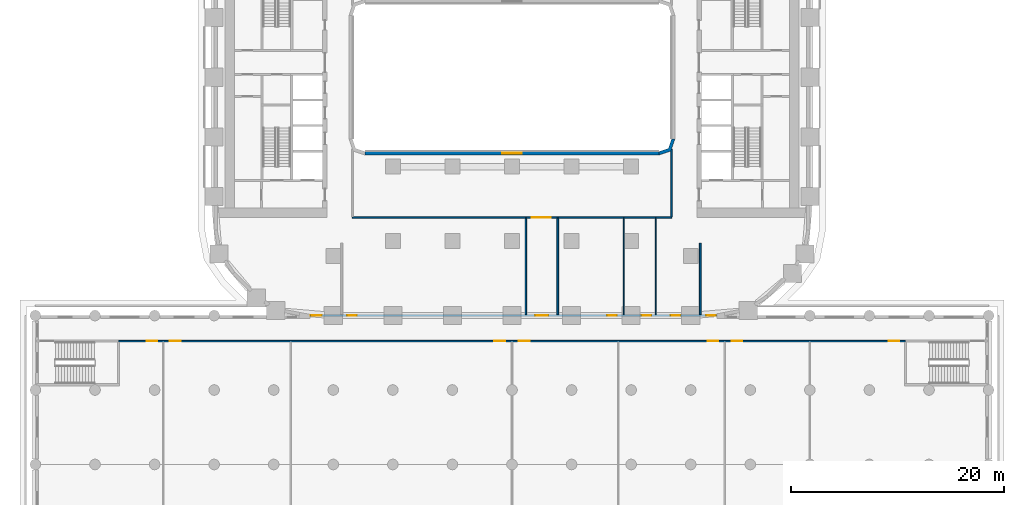
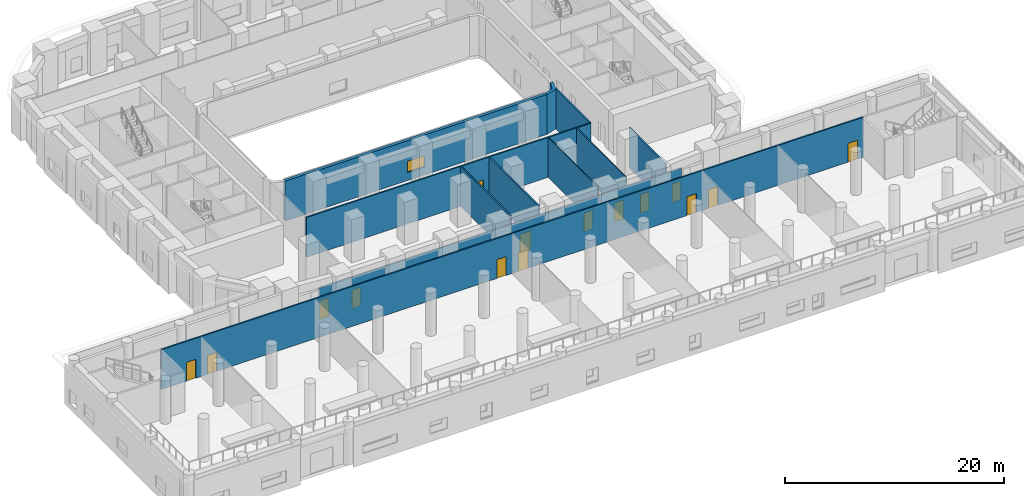
# One storey, part 9 of 23: 15 doors, 11 walls, 1 window, 16 openings.
"""IFC4 building model written with IfcOpenShell, lengths in metres."""

from ifc_helpers import new_model, si_unit, direction, frame, frame_2d, origin, place, context, subcontext, project, spatial, polyline, rectangle, outline, extrude, material, layer, layer_set, type_object, element, fill, save


model = new_model("IFC4")

# Units and contexts
model_context = context("Model", 3, precision=1e-05, world=origin(), true_north=direction((0.0, 1.0)))
body_context = subcontext(model_context, "Body", "Model", "MODEL_VIEW")
ifc_project = project(units=[si_unit("LENGTHUNIT", "METRE"), si_unit("AREAUNIT", "SQUARE_METRE"), si_unit("VOLUMEUNIT", "CUBIC_METRE"), si_unit("PLANEANGLEUNIT", "RADIAN"), si_unit("MASSUNIT", "GRAM", prefix="KILO")], contexts=[model_context])

# Site, building, storey
site_placement = place(None, origin())
site = spatial("IfcSite", under=ifc_project, at=site_placement, CompositionType="ELEMENT")
building_placement = place(site_placement, origin())
building = spatial("IfcBuilding", under=site, at=building_placement, Name="Kiln Ring Residences", CompositionType="ELEMENT")
storey_placement = place(building_placement, frame((0.0, 0.0, 16.10009765625)))
storey = spatial("IfcBuildingStorey", under=building, at=storey_placement, Name="L03", CompositionType="ELEMENT", Elevation=16.10009765625)

# Wall, opening, window
ifc_material_1 = material(Name="Brick masonry, dark clay brick", Category="masonry")
ifc_layer_1 = layer(ifc_material_1, 0.300048828125)
ifc_layer_set_1 = layer_set([ifc_layer_1], Name="EW-300 BRICK WALL")
wall_type_1 = type_object("IfcWallType", Name="EW-300 BRICK WALL", PredefinedType="SOLIDWALL", material=ifc_layer_set_1)
wall_1_placement = place(storey_placement, frame((13.800048828125, -7.14990234375, 0.0), z_axis=(0.0, 0.0, 1.0), x_axis=(-1.0, 0.0, 0.0)))
wall_1 = element("IfcWall", 1, at=wall_1_placement, inside=storey, type_object=wall_type_1, Name="Facade wall L03 76", PredefinedType="SOLIDWALL", context=body_context, shape_type="SweptSolid", body=[
    extrude(rectangle(XDim=27.60009765625, YDim=0.300048828125, at=frame_2d((13.800048828125, 0.0))), origin(), (0.0, 0.0, 1.0), 4.449951171875),
])
opening_1_placement = place(wall_1_placement, frame((12.89990234375, 0.0, 0.89990234375)))
opening_1 = element("IfcOpeningElement", 2, at=opening_1_placement, cuts=wall_1, Name="Opening W2", PredefinedType="OPENING", context=body_context, shape_type="SweptSolid", body=[
    extrude(rectangle(XDim=1.800048828125, YDim=1.25, at=frame_2d((0.89990234375, 0.625))), frame((0.0, 0.159912109375, 0.0), z_axis=(0.0, -1.0, 0.0), x_axis=(1.0, 0.0, 0.0)), (0.0, 0.0, 1.0), 0.320068359375),
])
ifc_material_2 = material(Name="Aluminium frame with double glazing", Category="aluminium")
window_type = type_object("IfcWindowType", Name="WINDOW 1800 x 1250", PartitioningType="SINGLE_PANEL", PredefinedType="WINDOW", material=ifc_material_2)
window_placement = place(opening_1_placement, origin())
window = element("IfcWindow", 3, at=window_placement, inside=storey, type_object=window_type, Name="Window L03 46", OverallHeight=1.25, OverallWidth=1.800048828125, PartitioningType="SINGLE_PANEL", PredefinedType="WINDOW", context=body_context, shape_type="SweptSolid", body=[
    extrude(rectangle(XDim=1.800048828125, YDim=1.25, at=frame_2d((0.89990234375, 0.625))), frame((0.0, 0.030029296875, 0.0), z_axis=(0.0, -1.0, 0.0), x_axis=(1.0, 0.0, 0.0)), (0.0, 0.0, 1.0), 0.06005859375),
])
fill(opening_1, window)

# Walls
wall_2_placement = place(storey_placement, origin())
element("IfcWall", 4, at=wall_2_placement, inside=storey, type_object=wall_type_1, Name="Corner wall L03 5", PredefinedType="SOLIDWALL", context=body_context, shape_type="SweptSolid", body=[
    extrude(outline(polyline([(14.937255859375, -6.937255859375), (15.300048828125, -5.8486328125), (15.300048828125, -5.800048828125), (15.0, -5.800048828125), (14.699951171875, -6.699951171875), (13.800048828125, -7.0), (13.800048828125, -7.300048828125), (13.8486328125, -7.300048828125), (14.937255859375, -6.937255859375)])), origin(), (0.0, 0.0, 1.0), 4.449951171875),
])
ifc_material_3 = material(Name="Gypsum board on steel studs", Category="steel")
ifc_layer_2 = layer(ifc_material_3, 0.10009765625)
ifc_layer_set_2 = layer_set([ifc_layer_2], Name="PARTITION-100")
wall_type_2 = type_object("IfcWallType", Name="PARTITION-100", PredefinedType="PARTITIONING", material=ifc_layer_set_2)
for number, where, z_axis, x_axis, name in (
    (5, (10.5, -22.324951171875, 0.0), (0.0, 0.0, 1.0), (0.0, 1.0, 0.0), "Partition 022"),
    (6, (13.5, -22.324951171875, 0.0), (0.0, 0.0, 1.0), (0.0, 1.0, 0.0), "Partition 024"),
):
    element("IfcWall", number, at=place(storey_placement, frame(where, z_axis=z_axis, x_axis=x_axis)), inside=storey, type_object=wall_type_2, Name=name, PredefinedType="PARTITIONING", context=body_context, shape_type="SweptSolid", body=[
        extrude(rectangle(XDim=9.050048828125, YDim=0.10009765625, at=frame_2d((4.52490234375, 0.0))), origin(), (0.0, 0.0, 1.0), 4.449951171875),
    ])

# Wall, openings, doors
ifc_material_4 = material(Name="Brick masonry partition", Category="masonry")
ifc_layer_3 = layer(ifc_material_4, 0.14990234375)
ifc_layer_set_3 = layer_set([ifc_layer_3], Name="PARTITION-150-ei60")
wall_type_3 = type_object("IfcWallType", Name="PARTITION-150-ei60", PredefinedType="PARTITIONING", material=ifc_layer_set_3)
wall_3_placement = place(storey_placement, frame((-37.0, -24.800048828125, 0.0), z_axis=(0.0, 0.0, 1.0), x_axis=(1.0, 0.0, 0.0)))
wall_3 = element("IfcWall", 7, at=wall_3_placement, inside=storey, type_object=wall_type_3, Name="Partition 002", PredefinedType="PARTITIONING", context=body_context, shape_type="SweptSolid", body=[
    extrude(rectangle(XDim=74.0, YDim=0.14990234375, at=frame_2d((37.0, 0.0))), origin(), (0.0, 0.0, 1.0), 4.449951171875),
])
opening_2_placement = place(wall_3_placement, frame((2.64990234375, 0.0, 0.0)))
opening_2 = element("IfcOpeningElement", 8, at=opening_2_placement, cuts=wall_3, Name="Opening L03-D008", PredefinedType="OPENING", context=body_context, shape_type="SweptSolid", body=[
    extrude(rectangle(XDim=1.0, YDim=2.10009765625, at=frame_2d((0.5, 1.050048828125))), frame((0.0, 0.0849609375, 0.0), z_axis=(0.0, -1.0, 0.0), x_axis=(1.0, 0.0, 0.0)), (0.0, 0.0, 1.0), 0.169921875),
])
opening_3_placement = place(wall_3_placement, frame((4.85009765625, 0.0, 0.0)))
opening_3 = element("IfcOpeningElement", 9, at=opening_3_placement, cuts=wall_3, Name="Opening L03-D009", PredefinedType="OPENING", context=body_context, shape_type="SweptSolid", body=[
    extrude(rectangle(XDim=1.0, YDim=2.10009765625, at=frame_2d((0.5, 1.050048828125))), frame((0.0, 0.0849609375, 0.0), z_axis=(0.0, -1.0, 0.0), x_axis=(1.0, 0.0, 0.0)), (0.0, 0.0, 1.0), 0.169921875),
])
opening_4_placement = place(wall_3_placement, frame((35.35009765625, 0.0, 0.0)))
opening_4 = element("IfcOpeningElement", 10, at=opening_4_placement, cuts=wall_3, Name="Opening L03-D010", PredefinedType="OPENING", context=body_context, shape_type="SweptSolid", body=[
    extrude(rectangle(XDim=1.0, YDim=2.10009765625, at=frame_2d((0.5, 1.050048828125))), frame((0.0, 0.0849609375, 0.0), z_axis=(0.0, -1.0, 0.0), x_axis=(1.0, 0.0, 0.0)), (0.0, 0.0, 1.0), 0.169921875),
])
opening_5_placement = place(wall_3_placement, frame((37.64990234375, 0.0, 0.0)))
opening_5 = element("IfcOpeningElement", 11, at=opening_5_placement, cuts=wall_3, Name="Opening L03-D011", PredefinedType="OPENING", context=body_context, shape_type="SweptSolid", body=[
    extrude(rectangle(XDim=1.0, YDim=2.10009765625, at=frame_2d((0.5, 1.050048828125))), frame((0.0, 0.0849609375, 0.0), z_axis=(0.0, -1.0, 0.0), x_axis=(1.0, 0.0, 0.0)), (0.0, 0.0, 1.0), 0.169921875),
])
opening_6_placement = place(wall_3_placement, frame((55.39990234375, 0.0, 0.0)))
opening_6 = element("IfcOpeningElement", 12, at=opening_6_placement, cuts=wall_3, Name="Opening L03-D012", PredefinedType="OPENING", context=body_context, shape_type="SweptSolid", body=[
    extrude(rectangle(XDim=1.0, YDim=2.10009765625, at=frame_2d((0.5, 1.050048828125))), frame((0.0, 0.0849609375, 0.0), z_axis=(0.0, -1.0, 0.0), x_axis=(1.0, 0.0, 0.0)), (0.0, 0.0, 1.0), 0.169921875),
])
opening_7_placement = place(wall_3_placement, frame((57.64501953125, 0.0, 0.0)))
opening_7 = element("IfcOpeningElement", 13, at=opening_7_placement, cuts=wall_3, Name="Opening L03-D013", PredefinedType="OPENING", context=body_context, shape_type="SweptSolid", body=[
    extrude(rectangle(XDim=1.0, YDim=2.10009765625, at=frame_2d((0.5, 1.050048828125))), frame((0.0, 0.0849609375, 0.0), z_axis=(0.0, -1.0, 0.0), x_axis=(1.0, 0.0, 0.0)), (0.0, 0.0, 1.0), 0.169921875),
])
opening_8_placement = place(wall_3_placement, frame((72.39990234375, 0.0, 0.0)))
opening_8 = element("IfcOpeningElement", 14, at=opening_8_placement, cuts=wall_3, Name="Opening L03-D014", PredefinedType="OPENING", context=body_context, shape_type="SweptSolid", body=[
    extrude(rectangle(XDim=1.0, YDim=2.10009765625, at=frame_2d((0.5, 1.050048828125))), frame((0.0, 0.0849609375, 0.0), z_axis=(0.0, -1.0, 0.0), x_axis=(1.0, 0.0, 0.0)), (0.0, 0.0, 1.0), 0.169921875),
])
ifc_material_5 = material(Name="Steel faced fire door leaf", Category="steel")
door_type_1 = type_object("IfcDoorType", Name="FLAT-DOOR-1000-FR", OperationType="SINGLE_SWING_LEFT", PredefinedType="DOOR", material=ifc_material_5)
door_1_placement = place(opening_2_placement, origin())
door_1 = element("IfcDoor", 15, at=door_1_placement, inside=storey, type_object=door_type_1, Name="Door L03-D008", OperationType="SINGLE_SWING_RIGHT", OverallHeight=2.10009765625, OverallWidth=1.0, PredefinedType="DOOR", context=body_context, shape_type="SweptSolid", body=[
    extrude(rectangle(XDim=1.0, YDim=2.10009765625, at=frame_2d((0.5, 1.050048828125))), frame((0.0, 0.02490234375, 0.0), z_axis=(0.0, -1.0, 0.0), x_axis=(1.0, 0.0, 0.0)), (0.0, 0.0, 1.0), 0.050048828125),
])
fill(opening_2, door_1)
door_2_placement = place(opening_3_placement, origin())
door_2 = element("IfcDoor", 16, at=door_2_placement, inside=storey, type_object=door_type_1, Name="Door L03-D009", OperationType="SINGLE_SWING_LEFT", OverallHeight=2.10009765625, OverallWidth=1.0, PredefinedType="DOOR", context=body_context, shape_type="SweptSolid", body=[
    extrude(rectangle(XDim=1.0, YDim=2.10009765625, at=frame_2d((0.5, 1.050048828125))), frame((0.0, 0.02490234375, 0.0), z_axis=(0.0, -1.0, 0.0), x_axis=(1.0, 0.0, 0.0)), (0.0, 0.0, 1.0), 0.050048828125),
])
fill(opening_3, door_2)
door_3_placement = place(opening_4_placement, origin())
door_3 = element("IfcDoor", 17, at=door_3_placement, inside=storey, type_object=door_type_1, Name="Door L03-D010", OperationType="SINGLE_SWING_RIGHT", OverallHeight=2.10009765625, OverallWidth=1.0, PredefinedType="DOOR", context=body_context, shape_type="SweptSolid", body=[
    extrude(rectangle(XDim=1.0, YDim=2.10009765625, at=frame_2d((0.5, 1.050048828125))), frame((0.0, 0.02490234375, 0.0), z_axis=(0.0, -1.0, 0.0), x_axis=(1.0, 0.0, 0.0)), (0.0, 0.0, 1.0), 0.050048828125),
])
fill(opening_4, door_3)
door_4_placement = place(opening_5_placement, origin())
door_4 = element("IfcDoor", 18, at=door_4_placement, inside=storey, type_object=door_type_1, Name="Door L03-D011", OperationType="SINGLE_SWING_LEFT", OverallHeight=2.10009765625, OverallWidth=1.0, PredefinedType="DOOR", context=body_context, shape_type="SweptSolid", body=[
    extrude(rectangle(XDim=1.0, YDim=2.10009765625, at=frame_2d((0.5, 1.050048828125))), frame((0.0, 0.02490234375, 0.0), z_axis=(0.0, -1.0, 0.0), x_axis=(1.0, 0.0, 0.0)), (0.0, 0.0, 1.0), 0.050048828125),
])
fill(opening_5, door_4)
door_5_placement = place(opening_6_placement, origin())
door_5 = element("IfcDoor", 19, at=door_5_placement, inside=storey, type_object=door_type_1, Name="Door L03-D012", OperationType="SINGLE_SWING_RIGHT", OverallHeight=2.10009765625, OverallWidth=1.0, PredefinedType="DOOR", context=body_context, shape_type="SweptSolid", body=[
    extrude(rectangle(XDim=1.0, YDim=2.10009765625, at=frame_2d((0.5, 1.050048828125))), frame((0.0, 0.02490234375, 0.0), z_axis=(0.0, -1.0, 0.0), x_axis=(1.0, 0.0, 0.0)), (0.0, 0.0, 1.0), 0.050048828125),
])
fill(opening_6, door_5)
door_6_placement = place(opening_7_placement, origin())
door_6 = element("IfcDoor", 20, at=door_6_placement, inside=storey, type_object=door_type_1, Name="Door L03-D013", OperationType="SINGLE_SWING_LEFT", OverallHeight=2.10009765625, OverallWidth=1.0, PredefinedType="DOOR", context=body_context, shape_type="SweptSolid", body=[
    extrude(rectangle(XDim=1.0, YDim=2.10009765625, at=frame_2d((0.5, 1.050048828125))), frame((0.0, 0.02490234375, 0.0), z_axis=(0.0, -1.0, 0.0), x_axis=(1.0, 0.0, 0.0)), (0.0, 0.0, 1.0), 0.050048828125),
])
fill(opening_7, door_6)
door_7_placement = place(opening_8_placement, origin())
door_7 = element("IfcDoor", 21, at=door_7_placement, inside=storey, type_object=door_type_1, Name="Door L03-D014", OperationType="SINGLE_SWING_RIGHT", OverallHeight=2.10009765625, OverallWidth=1.0, PredefinedType="DOOR", context=body_context, shape_type="SweptSolid", body=[
    extrude(rectangle(XDim=1.0, YDim=2.10009765625, at=frame_2d((0.5, 1.050048828125))), frame((0.0, 0.02490234375, 0.0), z_axis=(0.0, -1.0, 0.0), x_axis=(1.0, 0.0, 0.0)), (0.0, 0.0, 1.0), 0.050048828125),
])
fill(opening_8, door_7)

wall_4_placement = place(storey_placement, frame((-18.97998046875, -22.39990234375, 0.0), z_axis=(0.0, 0.0, 1.0), x_axis=(1.0, 0.0, 0.0)))
wall_4 = element("IfcWall", 22, at=wall_4_placement, inside=storey, type_object=wall_type_3, Name="Partition 005", PredefinedType="PARTITIONING", context=body_context, shape_type="SweptSolid", body=[
    extrude(rectangle(XDim=38.2109375, YDim=0.14990234375, at=frame_2d((19.10546875, 0.0))), origin(), (0.0, 0.0, 1.0), 3.5498046875),
])
opening_9_placement = place(wall_4_placement, frame((21.179931640625, 0.0, 0.0)))
opening_9 = element("IfcOpeningElement", 23, at=opening_9_placement, cuts=wall_4, Name="Opening L03-D005", PredefinedType="OPENING", context=body_context, shape_type="SweptSolid", body=[
    extrude(rectangle(XDim=1.199951171875, YDim=2.10009765625, at=frame_2d((0.60009765625, 1.050048828125))), frame((0.0, 0.0849609375, 0.0), z_axis=(0.0, -1.0, 0.0), x_axis=(1.0, 0.0, 0.0)), (0.0, 0.0, 1.0), 0.169921875),
])
opening_10_placement = place(wall_4_placement, frame((0.080078125, 0.0, 0.0)))
opening_10 = element("IfcOpeningElement", 24, at=opening_10_placement, cuts=wall_4, Name="Opening L03-D015", PredefinedType="OPENING", context=body_context, shape_type="SweptSolid", body=[
    extrude(rectangle(XDim=1.0, YDim=2.10009765625, at=frame_2d((0.5, 1.050048828125))), frame((0.0, 0.0849609375, 0.0), z_axis=(0.0, -1.0, 0.0), x_axis=(1.0, 0.0, 0.0)), (0.0, 0.0, 1.0), 0.169921875),
])
opening_11_placement = place(wall_4_placement, frame((3.47998046875, 0.0, 0.0)))
opening_11 = element("IfcOpeningElement", 25, at=opening_11_placement, cuts=wall_4, Name="Opening L03-D016", PredefinedType="OPENING", context=body_context, shape_type="SweptSolid", body=[
    extrude(rectangle(XDim=0.89990234375, YDim=2.10009765625, at=frame_2d((0.449951171875, 1.050048828125))), frame((0.0, 0.0849609375, 0.0), z_axis=(0.0, -1.0, 0.0), x_axis=(1.0, 0.0, 0.0)), (0.0, 0.0, 1.0), 0.169921875),
])
opening_12_placement = place(wall_4_placement, frame((27.929931640625, 0.0, 0.0)))
opening_12 = element("IfcOpeningElement", 26, at=opening_12_placement, cuts=wall_4, Name="Opening L03-D017", PredefinedType="OPENING", context=body_context, shape_type="SweptSolid", body=[
    extrude(rectangle(XDim=0.89990234375, YDim=2.10009765625, at=frame_2d((0.449951171875, 1.050048828125))), frame((0.0, 0.0849609375, 0.0), z_axis=(0.0, -1.0, 0.0), x_axis=(1.0, 0.0, 0.0)), (0.0, 0.0, 1.0), 0.169921875),
])
opening_13_placement = place(wall_4_placement, frame((31.179931640625, 0.0, 0.0)))
opening_13 = element("IfcOpeningElement", 27, at=opening_13_placement, cuts=wall_4, Name="Opening L03-D018", PredefinedType="OPENING", context=body_context, shape_type="SweptSolid", body=[
    extrude(rectangle(XDim=0.89990234375, YDim=2.10009765625, at=frame_2d((0.449951171875, 1.050048828125))), frame((0.0, 0.0849609375, 0.0), z_axis=(0.0, -1.0, 0.0), x_axis=(1.0, 0.0, 0.0)), (0.0, 0.0, 1.0), 0.169921875),
])
opening_14_placement = place(wall_4_placement, frame((33.8798828125, 0.0, 0.0)))
opening_14 = element("IfcOpeningElement", 28, at=opening_14_placement, cuts=wall_4, Name="Opening L03-D019", PredefinedType="OPENING", context=body_context, shape_type="SweptSolid", body=[
    extrude(rectangle(XDim=0.89990234375, YDim=2.10009765625, at=frame_2d((0.449951171875, 1.050048828125))), frame((0.0, 0.0849609375, 0.0), z_axis=(0.0, -1.0, 0.0), x_axis=(1.0, 0.0, 0.0)), (0.0, 0.0, 1.0), 0.169921875),
])
opening_15_placement = place(wall_4_placement, frame((37.23095703125, 0.0, 0.0)))
opening_15 = element("IfcOpeningElement", 29, at=opening_15_placement, cuts=wall_4, Name="Opening L03-D020", PredefinedType="OPENING", context=body_context, shape_type="SweptSolid", body=[
    extrude(rectangle(XDim=0.89990234375, YDim=2.10009765625, at=frame_2d((0.449951171875, 1.050048828125))), frame((0.0, 0.0849609375, 0.0), z_axis=(0.0, -1.0, 0.0), x_axis=(1.0, 0.0, 0.0)), (0.0, 0.0, 1.0), 0.169921875),
])
door_8_placement = place(opening_10_placement, origin())
door_8 = element("IfcDoor", 30, at=door_8_placement, inside=storey, type_object=door_type_1, Name="Door L03-D015", OperationType="SINGLE_SWING_RIGHT", OverallHeight=2.10009765625, OverallWidth=1.0, PredefinedType="DOOR", context=body_context, shape_type="SweptSolid", body=[
    extrude(rectangle(XDim=1.0, YDim=2.10009765625, at=frame_2d((0.5, 1.050048828125))), frame((0.0, 0.02490234375, 0.0), z_axis=(0.0, -1.0, 0.0), x_axis=(1.0, 0.0, 0.0)), (0.0, 0.0, 1.0), 0.050048828125),
])
fill(opening_10, door_8)
ifc_material_6 = material(Name="Steel faced fire door leaf", Category="steel")
door_type_2 = type_object("IfcDoorType", Name="FLAT-DOOR-1200-FR", OperationType="SINGLE_SWING_LEFT", PredefinedType="DOOR", material=ifc_material_6)
door_9_placement = place(opening_9_placement, origin())
door_9 = element("IfcDoor", 31, at=door_9_placement, inside=storey, type_object=door_type_2, Name="Door L03-D005", OperationType="SINGLE_SWING_LEFT", OverallHeight=2.10009765625, OverallWidth=1.199951171875, PredefinedType="DOOR", context=body_context, shape_type="SweptSolid", body=[
    extrude(rectangle(XDim=1.199951171875, YDim=2.10009765625, at=frame_2d((0.60009765625, 1.050048828125))), frame((0.0, 0.02490234375, 0.0), z_axis=(0.0, -1.0, 0.0), x_axis=(1.0, 0.0, 0.0)), (0.0, 0.0, 1.0), 0.050048828125),
])
fill(opening_9, door_9)
ifc_material_7 = material(Name="Steel faced fire door leaf", Category="steel")
door_type_3 = type_object("IfcDoorType", Name="FLAT-DOOR-900-FR", OperationType="SINGLE_SWING_LEFT", PredefinedType="DOOR", material=ifc_material_7)
door_10_placement = place(opening_11_placement, origin())
door_10 = element("IfcDoor", 32, at=door_10_placement, inside=storey, type_object=door_type_3, Name="Door L03-D016", OperationType="SINGLE_SWING_RIGHT", OverallHeight=2.10009765625, OverallWidth=0.89990234375, PredefinedType="DOOR", context=body_context, shape_type="SweptSolid", body=[
    extrude(rectangle(XDim=0.89990234375, YDim=2.10009765625, at=frame_2d((0.449951171875, 1.050048828125))), frame((0.0, 0.02490234375, 0.0), z_axis=(0.0, -1.0, 0.0), x_axis=(1.0, 0.0, 0.0)), (0.0, 0.0, 1.0), 0.050048828125),
])
fill(opening_11, door_10)
door_11_placement = place(opening_12_placement, origin())
door_11 = element("IfcDoor", 33, at=door_11_placement, inside=storey, type_object=door_type_3, Name="Door L03-D017", OperationType="SINGLE_SWING_LEFT", OverallHeight=2.10009765625, OverallWidth=0.89990234375, PredefinedType="DOOR", context=body_context, shape_type="SweptSolid", body=[
    extrude(rectangle(XDim=0.89990234375, YDim=2.10009765625, at=frame_2d((0.449951171875, 1.050048828125))), frame((0.0, 0.02490234375, 0.0), z_axis=(0.0, -1.0, 0.0), x_axis=(1.0, 0.0, 0.0)), (0.0, 0.0, 1.0), 0.050048828125),
])
fill(opening_12, door_11)
door_12_placement = place(opening_13_placement, origin())
door_12 = element("IfcDoor", 34, at=door_12_placement, inside=storey, type_object=door_type_3, Name="Door L03-D018", OperationType="SINGLE_SWING_LEFT", OverallHeight=2.10009765625, OverallWidth=0.89990234375, PredefinedType="DOOR", context=body_context, shape_type="SweptSolid", body=[
    extrude(rectangle(XDim=0.89990234375, YDim=2.10009765625, at=frame_2d((0.449951171875, 1.050048828125))), frame((0.0, 0.02490234375, 0.0), z_axis=(0.0, -1.0, 0.0), x_axis=(1.0, 0.0, 0.0)), (0.0, 0.0, 1.0), 0.050048828125),
])
fill(opening_13, door_12)
door_13_placement = place(opening_14_placement, origin())
door_13 = element("IfcDoor", 35, at=door_13_placement, inside=storey, type_object=door_type_3, Name="Door L03-D019", OperationType="SINGLE_SWING_RIGHT", OverallHeight=2.10009765625, OverallWidth=0.89990234375, PredefinedType="DOOR", context=body_context, shape_type="SweptSolid", body=[
    extrude(rectangle(XDim=0.89990234375, YDim=2.10009765625, at=frame_2d((0.449951171875, 1.050048828125))), frame((0.0, 0.02490234375, 0.0), z_axis=(0.0, -1.0, 0.0), x_axis=(1.0, 0.0, 0.0)), (0.0, 0.0, 1.0), 0.050048828125),
])
fill(opening_14, door_13)
door_14_placement = place(opening_15_placement, origin())
door_14 = element("IfcDoor", 36, at=door_14_placement, inside=storey, type_object=door_type_3, Name="Door L03-D020", OperationType="SINGLE_SWING_RIGHT", OverallHeight=2.10009765625, OverallWidth=0.89990234375, PredefinedType="DOOR", context=body_context, shape_type="SweptSolid", body=[
    extrude(rectangle(XDim=0.89990234375, YDim=2.10009765625, at=frame_2d((0.449951171875, 1.050048828125))), frame((0.0, 0.02490234375, 0.0), z_axis=(0.0, -1.0, 0.0), x_axis=(1.0, 0.0, 0.0)), (0.0, 0.0, 1.0), 0.050048828125),
])
fill(opening_15, door_14)

# Wall, opening, door
wall_5_placement = place(storey_placement, frame((-15.0048828125, -13.199951171875, 0.0), z_axis=(0.0, 0.0, 1.0), x_axis=(1.0, 0.0, 0.0)))
wall_5 = element("IfcWall", 37, at=wall_5_placement, inside=storey, type_object=wall_type_3, Name="Partition 006", PredefinedType="PARTITIONING", context=body_context, shape_type="SweptSolid", body=[
    extrude(rectangle(XDim=30.009765625, YDim=0.14990234375, at=frame_2d((15.0048828125, 0.0))), origin(), (0.0, 0.0, 1.0), 4.449951171875),
])
opening_16_placement = place(wall_5_placement, frame((16.85498046875, 0.0, 0.0)))
opening_16 = element("IfcOpeningElement", 38, at=opening_16_placement, cuts=wall_5, Name="Opening L03-D004", PredefinedType="OPENING", context=body_context, shape_type="SweptSolid", body=[
    extrude(rectangle(XDim=1.800048828125, YDim=2.10009765625, at=frame_2d((0.89990234375, 1.050048828125))), frame((0.0, 0.0849609375, 0.0), z_axis=(0.0, -1.0, 0.0), x_axis=(1.0, 0.0, 0.0)), (0.0, 0.0, 1.0), 0.169921875),
])
ifc_material_8 = material(Name="Steel faced fire door leaf", Category="steel")
door_type_4 = type_object("IfcDoorType", Name="FLAT-DOOR-1800-FR", OperationType="SINGLE_SWING_LEFT", PredefinedType="DOOR", material=ifc_material_8)
door_15_placement = place(opening_16_placement, origin())
door_15 = element("IfcDoor", 39, at=door_15_placement, inside=storey, type_object=door_type_4, Name="Door L03-D004", OperationType="SINGLE_SWING_RIGHT", OverallHeight=2.10009765625, OverallWidth=1.800048828125, PredefinedType="DOOR", context=body_context, shape_type="SweptSolid", body=[
    extrude(rectangle(XDim=1.800048828125, YDim=2.10009765625, at=frame_2d((0.89990234375, 1.050048828125))), frame((0.0, 0.02490234375, 0.0), z_axis=(0.0, -1.0, 0.0), x_axis=(1.0, 0.0, 0.0)), (0.0, 0.0, 1.0), 0.050048828125),
])
fill(opening_16, door_15)

# Walls
for number, where, z_axis, x_axis, name in (
    (40, (1.300048828125, -22.324951171875, 0.0), (0.0, 0.0, 1.0), (0.0, 1.0, 0.0), "Partition 018"),
    (41, (4.300048828125, -22.324951171875, 0.0), (0.0, 0.0, 1.0), (0.0, 1.0, 0.0), "Partition 020"),
):
    element("IfcWall", number, at=place(storey_placement, frame(where, z_axis=z_axis, x_axis=x_axis)), inside=storey, type_object=wall_type_3, Name=name, PredefinedType="PARTITIONING", context=body_context, shape_type="SweptSolid", body=[
        extrude(rectangle(XDim=9.050048828125, YDim=0.14990234375, at=frame_2d((4.52490234375, 0.0))), origin(), (0.0, 0.0, 1.0), 4.449951171875),
    ])
wall_6_placement = place(storey_placement, frame((15.0, -13.125, 0.0), z_axis=(0.0, 0.0, 1.0), x_axis=(0.0, 1.0, 0.0)))
element("IfcWall", 42, at=wall_6_placement, inside=storey, type_object=wall_type_3, Name="Partition 025", PredefinedType="PARTITIONING", context=body_context, shape_type="SweptSolid", body=[
    extrude(rectangle(XDim=6.356201171875, YDim=0.14990234375, at=frame_2d((3.17822265625, 0.0))), origin(), (0.0, 0.0, 1.0), 4.449951171875),
])
wall_7_placement = place(storey_placement, frame((17.699951171875, -22.324951171875, 0.0), z_axis=(0.0, 0.0, 1.0), x_axis=(0.0, 1.0, 0.0)))
element("IfcWall", 43, at=wall_7_placement, inside=storey, type_object=wall_type_3, Name="Partition 027", PredefinedType="PARTITIONING", context=body_context, shape_type="SweptSolid", body=[
    extrude(rectangle(XDim=6.724853515625, YDim=0.14990234375, at=frame_2d((3.3623046875, 0.0))), origin(), (0.0, 0.0, 1.0), 4.449951171875),
])

save(model, "model.ifc")
